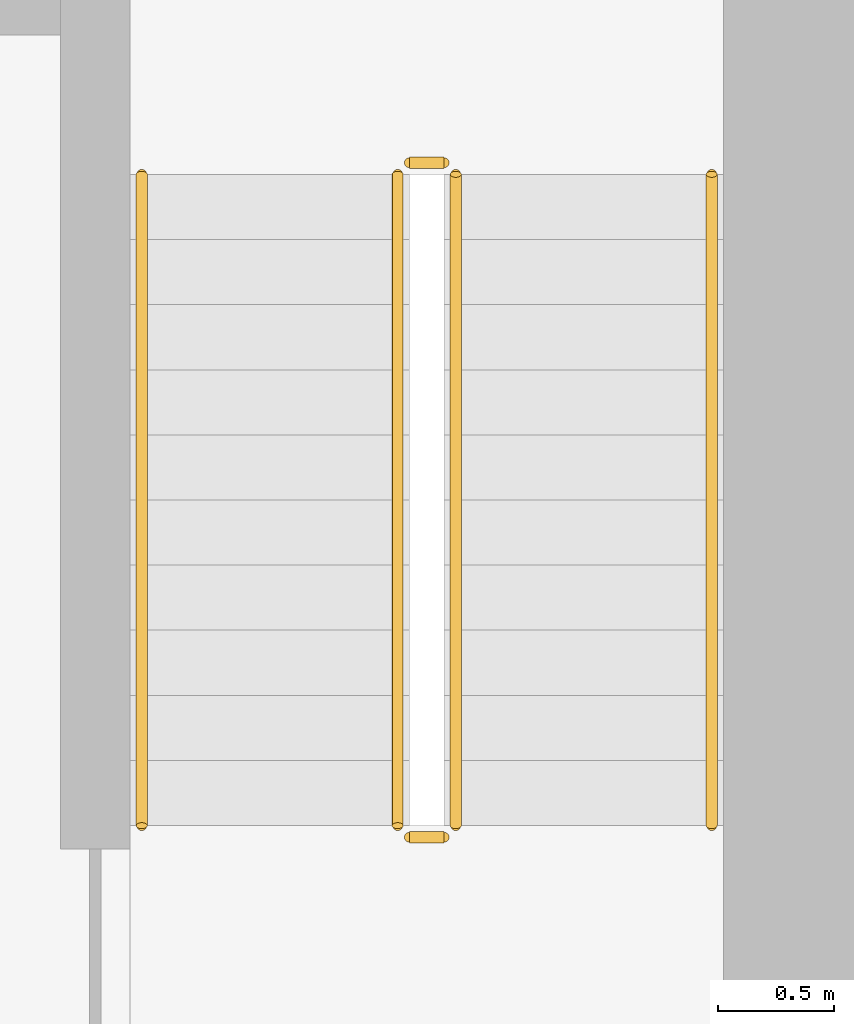
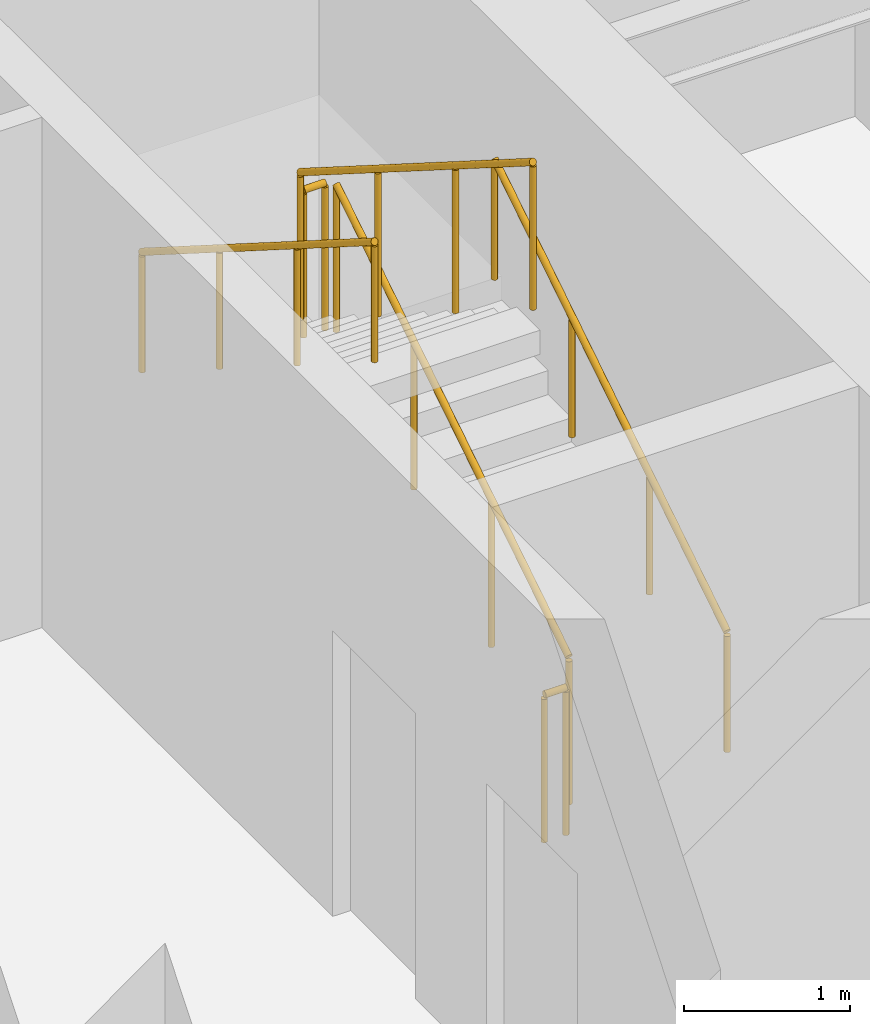
# One storey, part 9 of 9: 6 railings.
"""IFC4 building model written with IfcOpenShell, lengths in metres."""

from ifc_helpers import new_model, si_unit, direction, frame, origin, origin_2d, place, context, subcontext, project, spatial, circle, extrude, material, type_object, element, save


model = new_model("IFC4")

# Units and contexts
model_context = context("Model", 3, precision=1e-05, world=origin(), true_north=direction((0.0, 1.0)))
body_context = subcontext(model_context, "Body", "Model", "MODEL_VIEW")
ifc_project = project(units=[si_unit("LENGTHUNIT", "METRE"), si_unit("AREAUNIT", "SQUARE_METRE"), si_unit("VOLUMEUNIT", "CUBIC_METRE"), si_unit("PLANEANGLEUNIT", "RADIAN"), si_unit("MASSUNIT", "GRAM", prefix="KILO")], contexts=[model_context])

# Site, building, storey
site_placement = place(None, origin())
site = spatial("IfcSite", under=ifc_project, at=site_placement, CompositionType="ELEMENT")
building_placement = place(site_placement, origin())
building = spatial("IfcBuilding", under=site, at=building_placement, Name="Aloe Facet Convention Tower", CompositionType="ELEMENT")
storey_placement = place(building_placement, frame((0.0, 0.0, 195.800048828125)))
storey = spatial("IfcBuildingStorey", under=building, at=storey_placement, Name="L49", CompositionType="ELEMENT", Elevation=195.800048828125)

# Railings
ifc_material_1 = material(Name="Steel S355 balustrade", Category="steel")
railing_type_1 = type_object("IfcRailingType", Name="CR-RL-GUARD", PredefinedType="GUARDRAIL", material=ifc_material_1)
railing_1_placement = place(storey_placement, frame((89.25, 128.949951171875, 0.17724609375)))
element("IfcRailing", 1, at=railing_1_placement, inside=storey, type_object=railing_type_1, Name="L49 ST2 stair guard 1", PredefinedType="GUARDRAIL", context=body_context, shape_type="SweptSolid", body=[
    extrude(circle(Radius=0.02392578125, at=origin_2d()), frame((0.0, 0.0, 1.076171875), z_axis=(0.0, 0.844908973607, 0.534910110503), x_axis=(-1.0, 0.0, 0.0)), (0.0, 0.0, 1.0), 3.31396484375),
    extrude(circle(Radius=0.02099609375, at=origin_2d()), origin(), (0.0, 0.0, 1.0), 1.052001953125),
    extrude(circle(Radius=0.02099609375, at=origin_2d()), frame((0.0, 0.933349609375, 0.5908203125)), (0.0, 0.0, 1.0), 1.052001953125),
    extrude(circle(Radius=0.02099609375, at=origin_2d()), frame((0.0, 1.86669921875, 1.181884765625)), (0.0, 0.0, 1.0), 1.052001953125),
    extrude(circle(Radius=0.02099609375, at=origin_2d()), frame((0.0, 2.800048828125, 1.772705078125)), (0.0, 0.0, 1.0), 1.052001953125),
])
railing_2_placement = place(storey_placement, frame((89.199951171875, 131.800048828125, 1.949951171875)))
element("IfcRailing", 2, at=railing_2_placement, inside=storey, type_object=railing_type_1, Name="L49 ST2 stair guard 2", PredefinedType="GUARDRAIL", context=body_context, shape_type="SweptSolid", body=[
    extrude(circle(Radius=0.02392578125, at=origin_2d()), frame((0.0, 0.0, 1.076171875), z_axis=(-1.0, 0.0, 0.0), x_axis=(0.0, -1.0, 0.0)), (0.0, 0.0, 1.0), 0.14990234375),
    extrude(circle(Radius=0.02099609375, at=origin_2d()), origin(), (0.0, 0.0, 1.0), 1.052001953125),
    extrude(circle(Radius=0.02099609375, at=origin_2d()), frame((-0.14990234375, 0.0, 0.0)), (0.0, 0.0, 1.0), 1.052001953125),
])
railing_3_placement = place(storey_placement, frame((89.0, 131.75, 2.127197265625)))
element("IfcRailing", 3, at=railing_3_placement, inside=storey, type_object=railing_type_1, Name="L49 ST2 stair guard 3", PredefinedType="GUARDRAIL", context=body_context, shape_type="SweptSolid", body=[
    extrude(circle(Radius=0.02392578125, at=origin_2d()), frame((0.0, 0.0, 1.076171875), z_axis=(0.0, -0.844908973607, 0.534910110503), x_axis=(1.0, 0.0, 0.0)), (0.0, 0.0, 1.0), 3.31396484375),
    extrude(circle(Radius=0.02099609375, at=origin_2d()), origin(), (0.0, 0.0, 1.0), 1.052001953125),
    extrude(circle(Radius=0.02099609375, at=origin_2d()), frame((0.0, -0.933349609375, 0.5908203125)), (0.0, 0.0, 1.0), 1.052001953125),
    extrude(circle(Radius=0.02099609375, at=origin_2d()), frame((0.0, -1.86669921875, 1.181884765625)), (0.0, 0.0, 1.0), 1.052001953125),
    extrude(circle(Radius=0.02099609375, at=origin_2d()), frame((0.0, -2.800048828125, 1.772705078125)), (0.0, 0.0, 1.0), 1.052001953125),
])
railing_4_placement = place(storey_placement, frame((89.199951171875, 128.89990234375, 0.0)))
element("IfcRailing", 4, at=railing_4_placement, inside=storey, type_object=railing_type_1, Name="L49 ST2 stair guard 4", PredefinedType="GUARDRAIL", context=body_context, shape_type="SweptSolid", body=[
    extrude(circle(Radius=0.02392578125, at=origin_2d()), frame((0.0, 0.0, 1.076171875), z_axis=(-1.0, 0.0, 0.0), x_axis=(0.0, -1.0, 0.0)), (0.0, 0.0, 1.0), 0.14990234375),
    extrude(circle(Radius=0.02099609375, at=origin_2d()), origin(), (0.0, 0.0, 1.0), 1.052001953125),
    extrude(circle(Radius=0.02099609375, at=origin_2d()), frame((-0.14990234375, 0.0, 0.0)), (0.0, 0.0, 1.0), 1.052001953125),
])
ifc_material_2 = material(Name="Steel S355 handrail", Category="steel")
railing_type_2 = type_object("IfcRailingType", Name="CR-RL-HAND", PredefinedType="HANDRAIL", material=ifc_material_2)
railing_5_placement = place(storey_placement, frame((90.35009765625, 128.949951171875, 0.17724609375)))
element("IfcRailing", 5, at=railing_5_placement, inside=storey, type_object=railing_type_2, Name="L49 ST2 stair handrail 1", PredefinedType="HANDRAIL", context=body_context, shape_type="SweptSolid", body=[
    extrude(circle(Radius=0.02392578125, at=origin_2d()), frame((0.0, 0.0, 0.8759765625), z_axis=(0.0, 0.844908973607, 0.534910110503), x_axis=(-1.0, 0.0, 0.0)), (0.0, 0.0, 1.0), 3.31396484375),
    extrude(circle(Radius=0.02099609375, at=origin_2d()), origin(), (0.0, 0.0, 1.0), 0.851806640625),
    extrude(circle(Radius=0.02099609375, at=origin_2d()), frame((0.0, 0.933349609375, 0.5908203125)), (0.0, 0.0, 1.0), 0.851806640625),
    extrude(circle(Radius=0.02099609375, at=origin_2d()), frame((0.0, 1.86669921875, 1.181884765625)), (0.0, 0.0, 1.0), 0.851806640625),
    extrude(circle(Radius=0.02099609375, at=origin_2d()), frame((0.0, 2.800048828125, 1.772705078125)), (0.0, 0.0, 1.0), 0.851806640625),
])
railing_6_placement = place(storey_placement, frame((87.89990234375, 131.75, 2.127197265625)))
element("IfcRailing", 6, at=railing_6_placement, inside=storey, type_object=railing_type_2, Name="L49 ST2 stair handrail 2", PredefinedType="HANDRAIL", context=body_context, shape_type="SweptSolid", body=[
    extrude(circle(Radius=0.02392578125, at=origin_2d()), frame((0.0, 0.0, 0.8759765625), z_axis=(0.0, -0.844908973607, 0.534910110503), x_axis=(1.0, 0.0, 0.0)), (0.0, 0.0, 1.0), 3.31396484375),
    extrude(circle(Radius=0.02099609375, at=origin_2d()), origin(), (0.0, 0.0, 1.0), 0.851806640625),
    extrude(circle(Radius=0.02099609375, at=origin_2d()), frame((0.0, -0.933349609375, 0.5908203125)), (0.0, 0.0, 1.0), 0.851806640625),
    extrude(circle(Radius=0.02099609375, at=origin_2d()), frame((0.0, -1.86669921875, 1.181884765625)), (0.0, 0.0, 1.0), 0.851806640625),
    extrude(circle(Radius=0.02099609375, at=origin_2d()), frame((0.0, -2.800048828125, 1.772705078125)), (0.0, 0.0, 1.0), 0.851806640625),
])

save(model, "model.ifc")
